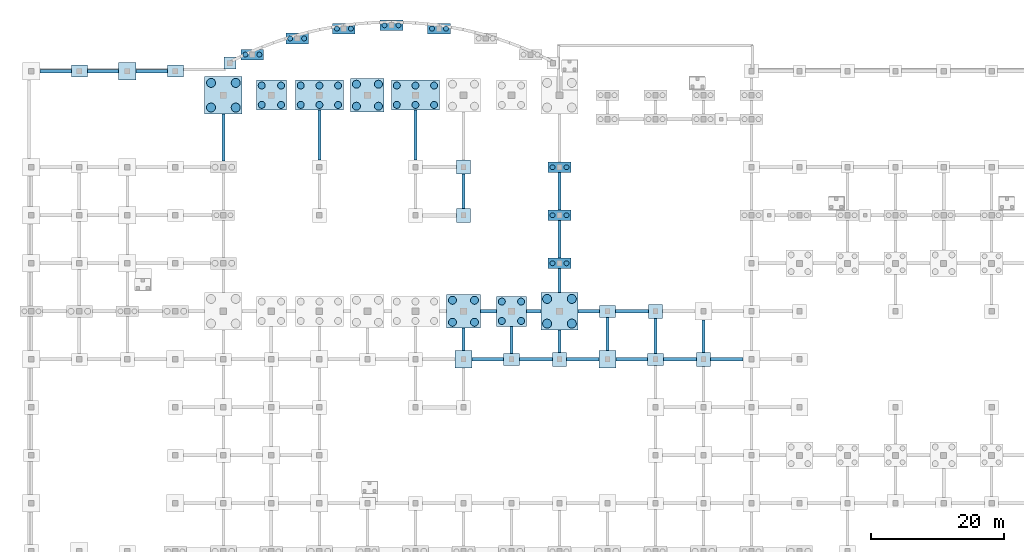
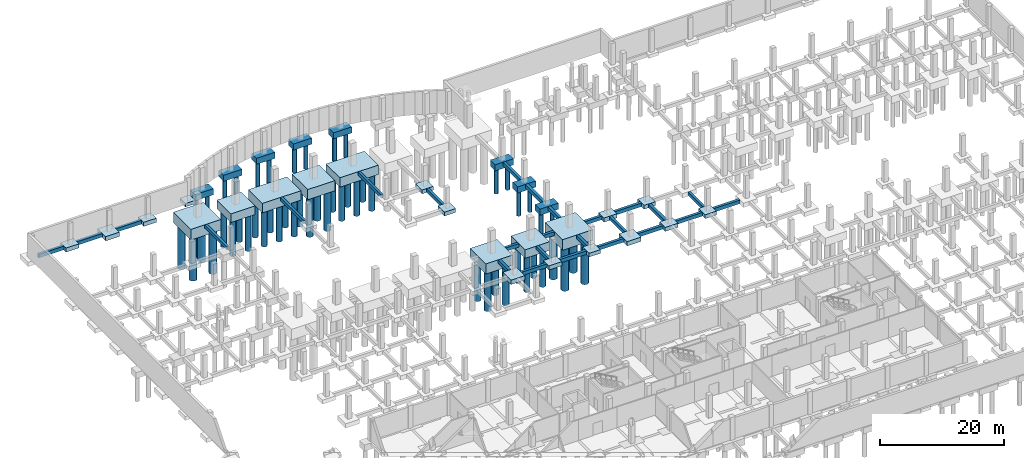
# One storey, part 9 of 22: 56 footings, 52 piles.
"""IFC4 building model written with IfcOpenShell, lengths in metres."""

from ifc_helpers import new_model, si_unit, direction, frame, origin, origin_2d, place, context, subcontext, project, spatial, polyline, rectangle, circle, outline, extrude, material, material_profile, profile_set, type_object, element, save


model = new_model("IFC4")

# Units and contexts
model_context = context("Model", 3, precision=1e-05, world=origin(), true_north=direction((0.0, 1.0)))
body_context = subcontext(model_context, "Body", "Model", "MODEL_VIEW")
ifc_project = project(units=[si_unit("LENGTHUNIT", "METRE"), si_unit("AREAUNIT", "SQUARE_METRE"), si_unit("VOLUMEUNIT", "CUBIC_METRE"), si_unit("PLANEANGLEUNIT", "RADIAN"), si_unit("MASSUNIT", "GRAM", prefix="KILO")], contexts=[model_context])

# Site, building, storey
site_placement = place(None, origin())
site = spatial("IfcSite", under=ifc_project, at=site_placement, CompositionType="ELEMENT")
building_placement = place(site_placement, origin())
building = spatial("IfcBuilding", under=site, at=building_placement, Name="Sardonyx Promenade Sports Hall", CompositionType="ELEMENT")
storey_placement = place(building_placement, frame((0.0, 0.0, -4.5)))
storey = spatial("IfcBuildingStorey", under=building, at=storey_placement, Name="B1", CompositionType="ELEMENT", Elevation=-4.5)

# Footings
ifc_material_1 = material(Name="Concrete C40/50", Category="concrete")
footing_type_1 = type_object("IfcFootingType", Name="Cap_2P_750", PredefinedType="PILE_CAP", material=ifc_material_1)
for number, where, z_axis, x_axis, name in (
    (1, (33.14404296875, 110.48486328125, -1.2001953125), (0.0, 0.0, 1.0), (1.0, 0.0, 0.0), "Pile cap PC02 at (33.14, 110.48)"),
    (2, (39.8701171875, 112.910888671875, -1.2001953125), (0.0, 0.0, 1.0), (1.0, 0.0, 0.0), "Pile cap PC02 at (39.87, 112.91)"),
    (3, (46.86669921875, 114.38525390625, -1.2001953125), (0.0, 0.0, 1.0), (1.0, 0.0, 0.0), "Pile cap PC02 at (46.87, 114.39)"),
    (4, (54.0, 114.8798828125, -1.2001953125), (0.0, 0.0, 1.0), (1.0, 0.0, 0.0), "Pile cap PC02 at (54.00, 114.88)"),
    (5, (61.13330078125, 114.38525390625, -1.2001953125), (0.0, 0.0, 1.0), (1.0, 0.0, 0.0), "Pile cap PC02 at (61.13, 114.39)"),
    (6, (79.199951171875, 79.199951171875, -1.2001953125), (0.0, 0.0, 1.0), (1.0, 0.0, 0.0), "Pile cap PC02 at (79.20, 79.20)"),
    (7, (79.199951171875, 86.39990234375, -1.2001953125), (0.0, 0.0, 1.0), (1.0, 0.0, 0.0), "Pile cap PC02 at (79.20, 86.40)"),
    (8, (79.199951171875, 93.60009765625, -1.2001953125), (0.0, 0.0, 1.0), (1.0, 0.0, 0.0), "Pile cap PC02 at (79.20, 93.60)"),
):
    element("IfcFooting", number, at=place(storey_placement, frame(where, z_axis=z_axis, x_axis=x_axis)), inside=storey, type_object=footing_type_1, Name=name, PredefinedType="PILE_CAP", context=body_context, shape_type="SweptSolid", body=[
        extrude(rectangle(XDim=3.39990234375, YDim=1.60009765625, at=origin_2d()), origin(), (0.0, 0.0, 1.0), 1.199951171875),
    ])
ifc_material_2 = material(Name="Concrete C40/50", Category="concrete")
footing_type_2 = type_object("IfcFootingType", Name="Cap_4P_1050", PredefinedType="PILE_CAP", material=ifc_material_2)
for number, where, z_axis, x_axis, name in (
    (9, (36.0, 104.39990234375, -1.7001953125), (0.0, 0.0, 1.0), (1.0, 0.0, 0.0), "Pile cap PC06 at (36.00, 104.40)"),
    (10, (72.0, 72.0, -1.7001953125), (0.0, 0.0, 1.0), (1.0, 0.0, 0.0), "Pile cap PC06 at (72.00, 72.00)"),
):
    element("IfcFooting", number, at=place(storey_placement, frame(where, z_axis=z_axis, x_axis=x_axis)), inside=storey, type_object=footing_type_2, Name=name, PredefinedType="PILE_CAP", context=body_context, shape_type="SweptSolid", body=[
        extrude(rectangle(XDim=4.5, YDim=4.5, at=origin_2d()), origin(), (0.0, 0.0, 1.0), 1.699951171875),
    ])
ifc_material_3 = material(Name="Concrete C40/50", Category="concrete")
footing_type_3 = type_object("IfcFootingType", Name="Cap_4P_1200", PredefinedType="PILE_CAP", material=ifc_material_3)
for number, where, z_axis, x_axis, name in (
    (11, (50.39990234375, 104.39990234375, -2.0), (0.0, 0.0, 1.0), (1.0, 0.0, 0.0), "Pile cap PC05 at (50.40, 104.40)"),
    (12, (64.800048828125, 72.0, -2.0), (0.0, 0.0, 1.0), (1.0, 0.0, 0.0), "Pile cap PC05 at (64.80, 72.00)"),
):
    element("IfcFooting", number, at=place(storey_placement, frame(where, z_axis=z_axis, x_axis=x_axis)), inside=storey, type_object=footing_type_3, Name=name, PredefinedType="PILE_CAP", context=body_context, shape_type="SweptSolid", body=[
        extrude(rectangle(XDim=5.0400390625, YDim=5.0400390625, at=origin_2d()), origin(), (0.0, 0.0, 1.0), 2.0),
    ])
ifc_material_4 = material(Name="Concrete C40/50", Category="concrete")
footing_type_4 = type_object("IfcFootingType", Name="Cap_4P_1350", PredefinedType="PILE_CAP", material=ifc_material_4)
for number, where, z_axis, x_axis, name in (
    (13, (28.800048828125, 104.39990234375, -2.10009765625), (0.0, 0.0, 1.0), (1.0, 0.0, 0.0), "Pile cap PC08 at (28.80, 104.40)"),
    (14, (79.199951171875, 72.0, -2.10009765625), (0.0, 0.0, 1.0), (1.0, 0.0, 0.0), "Pile cap PC08 at (79.20, 72.00)"),
):
    element("IfcFooting", number, at=place(storey_placement, frame(where, z_axis=z_axis, x_axis=x_axis)), inside=storey, type_object=footing_type_4, Name=name, PredefinedType="PILE_CAP", context=body_context, shape_type="SweptSolid", body=[
        extrude(rectangle(XDim=5.60009765625, YDim=5.60009765625, at=origin_2d()), origin(), (0.0, 0.0, 1.0), 2.10009765625),
    ])
ifc_material_5 = material(Name="Concrete C40/50", Category="concrete")
footing_type_5 = type_object("IfcFootingType", Name="Cap_6P_1050", PredefinedType="PILE_CAP", material=ifc_material_5)
for number, where, z_axis, x_axis, name in (
    (15, (43.199951171875, 104.39990234375, -1.85009765625), (0.0, 0.0, 1.0), (1.0, 0.0, 0.0), "Pile cap PC07 at (43.20, 104.40)"),
    (16, (57.60009765625, 104.39990234375, -1.85009765625), (0.0, 0.0, 1.0), (1.0, 0.0, 0.0), "Pile cap PC07 at (57.60, 104.40)"),
):
    element("IfcFooting", number, at=place(storey_placement, frame(where, z_axis=z_axis, x_axis=x_axis)), inside=storey, type_object=footing_type_5, Name=name, PredefinedType="PILE_CAP", context=body_context, shape_type="SweptSolid", body=[
        extrude(rectangle(XDim=7.159912109375, YDim=4.5, at=origin_2d()), origin(), (0.0, 0.0, 1.0), 1.85009765625),
    ])
ifc_material_6 = material(Name="Concrete C40/50", Category="concrete")
footing_type_6 = type_object("IfcFootingType", Name="Ftg_Beam_450x650", PredefinedType="FOOTING_BEAM", material=ifc_material_6)
footing_1_placement = place(storey_placement, frame((0.0, 0.0, -0.64990234375)))
element("IfcFooting", 17, at=footing_1_placement, inside=storey, type_object=footing_type_6, Name="Ground tie beam GB03 #264", PredefinedType="FOOTING_BEAM", context=body_context, shape_type="SweptSolid", body=[
    extrude(outline(polyline([(28.574951171875, 94.5), (29.02490234375, 94.5), (29.02490234375, 101.60009765625), (28.574951171875, 101.60009765625), (28.574951171875, 94.5)])), origin(), (0.0, 0.0, 1.0), 0.64990234375),
])
footing_2_placement = place(storey_placement, frame((0.0, 0.0, -0.64990234375)))
element("IfcFooting", 18, at=footing_2_placement, inside=storey, type_object=footing_type_6, Name="Ground tie beam GB03 #286", PredefinedType="FOOTING_BEAM", context=body_context, shape_type="SweptSolid", body=[
    extrude(outline(polyline([(42.97509765625, 94.64990234375), (43.425048828125, 94.64990234375), (43.425048828125, 102.14990234375), (42.97509765625, 102.14990234375), (42.97509765625, 94.64990234375)])), origin(), (0.0, 0.0, 1.0), 0.64990234375),
])
footing_3_placement = place(storey_placement, frame((0.0, 0.0, -0.64990234375)))
element("IfcFooting", 19, at=footing_3_placement, inside=storey, type_object=footing_type_6, Name="Ground tie beam GB03 #303", PredefinedType="FOOTING_BEAM", context=body_context, shape_type="SweptSolid", body=[
    extrude(outline(polyline([(57.375, 94.64990234375), (57.824951171875, 94.64990234375), (57.824951171875, 102.14990234375), (57.375, 102.14990234375), (57.375, 94.64990234375)])), origin(), (0.0, 0.0, 1.0), 0.64990234375),
])
footing_4_placement = place(storey_placement, frame((0.0, 0.0, -0.64990234375)))
element("IfcFooting", 20, at=footing_4_placement, inside=storey, type_object=footing_type_6, Name="Ground tie beam GB03 #320", PredefinedType="FOOTING_BEAM", context=body_context, shape_type="SweptSolid", body=[
    extrude(outline(polyline([(71.77490234375, 65.699951171875), (72.22509765625, 65.699951171875), (72.22509765625, 69.75), (71.77490234375, 69.75), (71.77490234375, 65.699951171875)])), origin(), (0.0, 0.0, 1.0), 0.64990234375),
])
footing_5_placement = place(storey_placement, frame((0.0, 0.0, -0.64990234375)))
element("IfcFooting", 21, at=footing_5_placement, inside=storey, type_object=footing_type_6, Name="Ground tie beam GB03 #338", PredefinedType="FOOTING_BEAM", context=body_context, shape_type="SweptSolid", body=[
    extrude(outline(polyline([(86.175048828125, 66.10009765625), (86.625, 66.10009765625), (86.625, 71.10009765625), (86.175048828125, 71.10009765625), (86.175048828125, 66.10009765625)])), origin(), (0.0, 0.0, 1.0), 0.64990234375),
])
footing_6_placement = place(storey_placement, frame((0.0, 0.0, -0.64990234375)))
element("IfcFooting", 22, at=footing_6_placement, inside=storey, type_object=footing_type_6, Name="Ground tie beam GB03 #360", PredefinedType="FOOTING_BEAM", context=body_context, shape_type="SweptSolid", body=[
    extrude(outline(polyline([(100.574951171875, 65.85009765625), (101.02490234375, 65.85009765625), (101.02490234375, 70.699951171875), (100.574951171875, 70.699951171875), (100.574951171875, 65.85009765625)])), origin(), (0.0, 0.0, 1.0), 0.64990234375),
])
ifc_material_7 = material(Name="Concrete C40/50", Category="concrete")
footing_type_7 = type_object("IfcFootingType", Name="Ftg_Beam_500x700", PredefinedType="FOOTING_BEAM", material=ifc_material_7)
footing_7_placement = place(storey_placement, frame((0.0, 0.0, -0.699951171875)))
element("IfcFooting", 23, at=footing_7_placement, inside=storey, type_object=footing_type_7, Name="Ground tie beam GB01 #143", PredefinedType="FOOTING_BEAM", context=body_context, shape_type="SweptSolid", body=[
    extrude(outline(polyline([(66.10009765625, 64.550048828125), (70.800048828125, 64.550048828125), (70.800048828125, 65.050048828125), (66.10009765625, 65.050048828125), (66.10009765625, 64.550048828125)])), origin(), (0.0, 0.0, 1.0), 0.699951171875),
])
footing_8_placement = place(storey_placement, frame((0.0, 0.0, -0.699951171875)))
element("IfcFooting", 24, at=footing_8_placement, inside=storey, type_object=footing_type_7, Name="Ground tie beam GB01 #144", PredefinedType="FOOTING_BEAM", context=body_context, shape_type="SweptSolid", body=[
    extrude(outline(polyline([(73.199951171875, 64.550048828125), (78.14990234375, 64.550048828125), (78.14990234375, 65.050048828125), (73.199951171875, 65.050048828125), (73.199951171875, 64.550048828125)])), origin(), (0.0, 0.0, 1.0), 0.699951171875),
])
footing_9_placement = place(storey_placement, frame((0.0, 0.0, -0.699951171875)))
element("IfcFooting", 25, at=footing_9_placement, inside=storey, type_object=footing_type_7, Name="Ground tie beam GB01 #145", PredefinedType="FOOTING_BEAM", context=body_context, shape_type="SweptSolid", body=[
    extrude(outline(polyline([(80.25, 64.550048828125), (85.10009765625, 64.550048828125), (85.10009765625, 65.050048828125), (80.25, 65.050048828125), (80.25, 64.550048828125)])), origin(), (0.0, 0.0, 1.0), 0.699951171875),
])
footing_10_placement = place(storey_placement, frame((0.0, 0.0, -0.699951171875)))
element("IfcFooting", 26, at=footing_10_placement, inside=storey, type_object=footing_type_7, Name="Ground tie beam GB01 #146", PredefinedType="FOOTING_BEAM", context=body_context, shape_type="SweptSolid", body=[
    extrude(outline(polyline([(87.699951171875, 64.550048828125), (92.39990234375, 64.550048828125), (92.39990234375, 65.050048828125), (87.699951171875, 65.050048828125), (87.699951171875, 64.550048828125)])), origin(), (0.0, 0.0, 1.0), 0.699951171875),
])
footing_11_placement = place(storey_placement, frame((0.0, 0.0, -0.699951171875)))
element("IfcFooting", 27, at=footing_11_placement, inside=storey, type_object=footing_type_7, Name="Ground tie beam GB01 #147", PredefinedType="FOOTING_BEAM", context=body_context, shape_type="SweptSolid", body=[
    extrude(outline(polyline([(94.800048828125, 64.550048828125), (99.75, 64.550048828125), (99.75, 65.050048828125), (94.800048828125, 65.050048828125), (94.800048828125, 64.550048828125)])), origin(), (0.0, 0.0, 1.0), 0.699951171875),
])
footing_12_placement = place(storey_placement, frame((0.0, 0.0, -0.699951171875)))
element("IfcFooting", 28, at=footing_12_placement, inside=storey, type_object=footing_type_7, Name="Ground tie beam GB01 #148", PredefinedType="FOOTING_BEAM", context=body_context, shape_type="SweptSolid", body=[
    extrude(outline(polyline([(101.85009765625, 64.550048828125), (106.699951171875, 64.550048828125), (106.699951171875, 65.050048828125), (101.85009765625, 65.050048828125), (101.85009765625, 64.550048828125)])), origin(), (0.0, 0.0, 1.0), 0.699951171875),
])
footing_13_placement = place(storey_placement, frame((0.0, 0.0, -0.699951171875)))
element("IfcFooting", 29, at=footing_13_placement, inside=storey, type_object=footing_type_7, Name="Ground tie beam GB01 #160", PredefinedType="FOOTING_BEAM", context=body_context, shape_type="SweptSolid", body=[
    extrude(outline(polyline([(67.320068359375, 71.75), (69.75, 71.75), (69.75, 72.25), (67.320068359375, 72.25), (67.320068359375, 71.75)])), origin(), (0.0, 0.0, 1.0), 0.699951171875),
])
footing_14_placement = place(storey_placement, frame((0.0, 0.0, -0.699951171875)))
element("IfcFooting", 30, at=footing_14_placement, inside=storey, type_object=footing_type_7, Name="Ground tie beam GB01 #161", PredefinedType="FOOTING_BEAM", context=body_context, shape_type="SweptSolid", body=[
    extrude(outline(polyline([(74.25, 71.75), (76.39990234375, 71.75), (76.39990234375, 72.25), (74.25, 72.25), (74.25, 71.75)])), origin(), (0.0, 0.0, 1.0), 0.699951171875),
])
footing_15_placement = place(storey_placement, frame((0.0, 0.0, -0.699951171875)))
element("IfcFooting", 31, at=footing_15_placement, inside=storey, type_object=footing_type_7, Name="Ground tie beam GB01 #162", PredefinedType="FOOTING_BEAM", context=body_context, shape_type="SweptSolid", body=[
    extrude(outline(polyline([(82.0, 71.75), (85.199951171875, 71.75), (85.199951171875, 72.25), (82.0, 72.25), (82.0, 71.75)])), origin(), (0.0, 0.0, 1.0), 0.699951171875),
])
footing_16_placement = place(storey_placement, frame((0.0, 0.0, -0.699951171875)))
element("IfcFooting", 32, at=footing_16_placement, inside=storey, type_object=footing_type_7, Name="Ground tie beam GB01 #163", PredefinedType="FOOTING_BEAM", context=body_context, shape_type="SweptSolid", body=[
    extrude(outline(polyline([(87.60009765625, 71.75), (92.550048828125, 71.75), (92.550048828125, 72.25), (87.60009765625, 72.25), (87.60009765625, 71.75)])), origin(), (0.0, 0.0, 1.0), 0.699951171875),
])
footing_17_placement = place(storey_placement, frame((0.0, 0.0, -0.699951171875)))
element("IfcFooting", 33, at=footing_17_placement, inside=storey, type_object=footing_type_7, Name="Ground tie beam GB01 #209", PredefinedType="FOOTING_BEAM", context=body_context, shape_type="SweptSolid", body=[
    extrude(outline(polyline([(1.300048828125, 107.75), (6.0, 107.75), (6.0, 108.25), (1.300048828125, 108.25), (1.300048828125, 107.75)])), origin(), (0.0, 0.0, 1.0), 0.699951171875),
])
footing_18_placement = place(storey_placement, frame((0.0, 0.0, -0.699951171875)))
element("IfcFooting", 34, at=footing_18_placement, inside=storey, type_object=footing_type_7, Name="Ground tie beam GB01 #210", PredefinedType="FOOTING_BEAM", context=body_context, shape_type="SweptSolid", body=[
    extrude(outline(polyline([(8.39990234375, 107.75), (13.10009765625, 107.75), (13.10009765625, 108.25), (8.39990234375, 108.25), (8.39990234375, 107.75)])), origin(), (0.0, 0.0, 1.0), 0.699951171875),
])
footing_19_placement = place(storey_placement, frame((0.0, 0.0, -0.699951171875)))
element("IfcFooting", 35, at=footing_19_placement, inside=storey, type_object=footing_type_7, Name="Ground tie beam GB01 #211", PredefinedType="FOOTING_BEAM", context=body_context, shape_type="SweptSolid", body=[
    extrude(outline(polyline([(15.699951171875, 107.75), (20.39990234375, 107.75), (20.39990234375, 108.25), (15.699951171875, 108.25), (15.699951171875, 107.75)])), origin(), (0.0, 0.0, 1.0), 0.699951171875),
])
footing_20_placement = place(storey_placement, frame((0.0, 0.0, -0.699951171875)))
element("IfcFooting", 36, at=footing_20_placement, inside=storey, type_object=footing_type_7, Name="Ground tie beam GB01 #311", PredefinedType="FOOTING_BEAM", context=body_context, shape_type="SweptSolid", body=[
    extrude(outline(polyline([(64.550048828125, 66.10009765625), (65.050048828125, 66.10009765625), (65.050048828125, 69.47998046875), (64.550048828125, 69.47998046875), (64.550048828125, 66.10009765625)])), origin(), (0.0, 0.0, 1.0), 0.699951171875),
])
footing_21_placement = place(storey_placement, frame((0.0, 0.0, -0.699951171875)))
element("IfcFooting", 37, at=footing_21_placement, inside=storey, type_object=footing_type_7, Name="Ground tie beam GB01 #312", PredefinedType="FOOTING_BEAM", context=body_context, shape_type="SweptSolid", body=[
    extrude(outline(polyline([(64.550048828125, 87.449951171875), (65.050048828125, 87.449951171875), (65.050048828125, 92.550048828125), (64.550048828125, 92.550048828125), (64.550048828125, 87.449951171875)])), origin(), (0.0, 0.0, 1.0), 0.699951171875),
])
footing_22_placement = place(storey_placement, frame((0.0, 0.0, -0.699951171875)))
element("IfcFooting", 38, at=footing_22_placement, inside=storey, type_object=footing_type_7, Name="Ground tie beam GB01 #327", PredefinedType="FOOTING_BEAM", context=body_context, shape_type="SweptSolid", body=[
    extrude(outline(polyline([(78.949951171875, 65.85009765625), (79.449951171875, 65.85009765625), (79.449951171875, 69.199951171875), (78.949951171875, 69.199951171875), (78.949951171875, 65.85009765625)])), origin(), (0.0, 0.0, 1.0), 0.699951171875),
])
footing_23_placement = place(storey_placement, frame((0.0, 0.0, -0.699951171875)))
element("IfcFooting", 39, at=footing_23_placement, inside=storey, type_object=footing_type_7, Name="Ground tie beam GB01 #328", PredefinedType="FOOTING_BEAM", context=body_context, shape_type="SweptSolid", body=[
    extrude(outline(polyline([(78.949951171875, 74.800048828125), (79.449951171875, 74.800048828125), (79.449951171875, 78.39990234375), (78.949951171875, 78.39990234375), (78.949951171875, 74.800048828125)])), origin(), (0.0, 0.0, 1.0), 0.699951171875),
])
footing_24_placement = place(storey_placement, frame((0.0, 0.0, -0.699951171875)))
element("IfcFooting", 40, at=footing_24_placement, inside=storey, type_object=footing_type_7, Name="Ground tie beam GB01 #329", PredefinedType="FOOTING_BEAM", context=body_context, shape_type="SweptSolid", body=[
    extrude(outline(polyline([(78.949951171875, 80.0), (79.449951171875, 80.0), (79.449951171875, 85.60009765625), (78.949951171875, 85.60009765625), (78.949951171875, 80.0)])), origin(), (0.0, 0.0, 1.0), 0.699951171875),
])
footing_25_placement = place(storey_placement, frame((0.0, 0.0, -0.699951171875)))
element("IfcFooting", 41, at=footing_25_placement, inside=storey, type_object=footing_type_7, Name="Ground tie beam GB01 #330", PredefinedType="FOOTING_BEAM", context=body_context, shape_type="SweptSolid", body=[
    extrude(outline(polyline([(78.949951171875, 87.199951171875), (79.449951171875, 87.199951171875), (79.449951171875, 92.800048828125), (78.949951171875, 92.800048828125), (78.949951171875, 87.199951171875)])), origin(), (0.0, 0.0, 1.0), 0.699951171875),
])
footing_26_placement = place(storey_placement, frame((0.0, 0.0, -0.699951171875)))
element("IfcFooting", 42, at=footing_26_placement, inside=storey, type_object=footing_type_7, Name="Ground tie beam GB01 #349", PredefinedType="FOOTING_BEAM", context=body_context, shape_type="SweptSolid", body=[
    extrude(outline(polyline([(93.35009765625, 65.699951171875), (93.85009765625, 65.699951171875), (93.85009765625, 70.949951171875), (93.35009765625, 70.949951171875), (93.35009765625, 65.699951171875)])), origin(), (0.0, 0.0, 1.0), 0.699951171875),
])
ifc_material_8 = material(Name="Concrete C40/50", Category="concrete")
footing_type_8 = type_object("IfcFootingType", Name="Ftg_Pad_1800", PredefinedType="PAD_FOOTING", material=ifc_material_8)
footing_27_placement = place(storey_placement, frame((29.773681640625, 109.2119140625, -0.64990234375), z_axis=(0.0, 0.0, 1.0), x_axis=(1.0, 0.0, 0.0)))
element("IfcFooting", 43, at=footing_27_placement, inside=storey, type_object=footing_type_8, Name="Bowed corner pad footing WP00", PredefinedType="PAD_FOOTING", context=body_context, shape_type="SweptSolid", body=[
    extrude(rectangle(XDim=1.800048828125, YDim=1.800048828125, at=origin_2d()), origin(), (0.0, 0.0, 1.0), 0.64990234375),
])
ifc_material_9 = material(Name="Concrete C40/50", Category="concrete")
footing_type_9 = type_object("IfcFootingType", Name="Ftg_Pad_2100", PredefinedType="PAD_FOOTING", material=ifc_material_9)
for number, where, z_axis, x_axis, name in (
    (44, (79.199951171875, 64.800048828125, -0.75), (0.0, 0.0, 1.0), (1.0, 0.0, 0.0), "Rock-bearing pad footing PF02 at (79.20, 64.80)"),
    (45, (93.60009765625, 72.0, -0.75), (0.0, 0.0, 1.0), (1.0, 0.0, 0.0), "Rock-bearing pad footing PF02 at (93.60, 72.00)"),
    (46, (100.800048828125, 64.800048828125, -0.75), (0.0, 0.0, 1.0), (1.0, 0.0, 0.0), "Rock-bearing pad footing PF02 at (100.80, 64.80)"),
    (47, (64.800048828125, 86.39990234375, -0.75), (0.0, 0.0, 1.0), (1.0, 0.0, 0.0), "Substructure court slab pad footing PF02 #38"),
    (48, (64.800048828125, 93.60009765625, -0.75), (0.0, 0.0, 1.0), (1.0, 0.0, 0.0), "Substructure court slab pad footing PF02 #39"),
):
    element("IfcFooting", number, at=place(storey_placement, frame(where, z_axis=z_axis, x_axis=x_axis)), inside=storey, type_object=footing_type_9, Name=name, PredefinedType="PAD_FOOTING", context=body_context, shape_type="SweptSolid", body=[
        extrude(rectangle(XDim=2.10009765625, YDim=2.10009765625, at=origin_2d()), origin(), (0.0, 0.0, 1.0), 0.75),
    ])
ifc_material_10 = material(Name="Concrete C40/50", Category="concrete")
footing_type_10 = type_object("IfcFootingType", Name="Ftg_Pad_2400x1800", PredefinedType="PAD_FOOTING", material=ifc_material_10)
for number, where, z_axis, x_axis, name in (
    (49, (72.0, 64.800048828125, -0.7998046875), (0.0, 0.0, 1.0), (1.0, 0.0, 0.0), "Rock-bearing pad footing PF03 at (72.00, 64.80)"),
    (50, (86.39990234375, 72.0, -0.7998046875), (0.0, 0.0, 1.0), (1.0, 0.0, 0.0), "Rock-bearing pad footing PF03 at (86.40, 72.00)"),
    (51, (93.60009765625, 64.800048828125, -0.7998046875), (0.0, 0.0, 1.0), (1.0, 0.0, 0.0), "Rock-bearing pad footing PF03 at (93.60, 64.80)"),
    (52, (7.199951171875, 108.0, -0.7998046875), (0.0, 0.0, 1.0), (1.0, 0.0, 0.0), "Pad footing PF03 #25"),
    (53, (21.60009765625, 108.0, -0.7998046875), (0.0, 0.0, 1.0), (1.0, 0.0, 0.0), "Pad footing PF03 #33"),
):
    element("IfcFooting", number, at=place(storey_placement, frame(where, z_axis=z_axis, x_axis=x_axis)), inside=storey, type_object=footing_type_10, Name=name, PredefinedType="PAD_FOOTING", context=body_context, shape_type="SweptSolid", body=[
        extrude(rectangle(XDim=2.39990234375, YDim=1.800048828125, at=origin_2d()), origin(), (0.0, 0.0, 1.0), 0.800048828125),
    ])
ifc_material_11 = material(Name="Concrete C40/50", Category="concrete")
footing_type_11 = type_object("IfcFootingType", Name="Ftg_Pad_2600", PredefinedType="PAD_FOOTING", material=ifc_material_11)
for number, where, z_axis, x_axis, name in (
    (54, (64.800048828125, 64.800048828125, -0.85009765625), (0.0, 0.0, 1.0), (1.0, 0.0, 0.0), "Rock-bearing pad footing PF04 at (64.80, 64.80)"),
    (55, (86.39990234375, 64.800048828125, -0.85009765625), (0.0, 0.0, 1.0), (1.0, 0.0, 0.0), "Rock-bearing pad footing PF04 at (86.40, 64.80)"),
    (56, (14.39990234375, 108.0, -0.85009765625), (0.0, 0.0, 1.0), (1.0, 0.0, 0.0), "Pad footing PF04 #29"),
):
    element("IfcFooting", number, at=place(storey_placement, frame(where, z_axis=z_axis, x_axis=x_axis)), inside=storey, type_object=footing_type_11, Name=name, PredefinedType="PAD_FOOTING", context=body_context, shape_type="SweptSolid", body=[
        extrude(rectangle(XDim=2.60009765625, YDim=2.60009765625, at=origin_2d()), origin(), (0.0, 0.0, 1.0), 0.85009765625),
    ])

# Piles
ifc_material_12 = material(Name="Concrete C40/50", Category="concrete")
ifc_material_profile_1 = material_profile(ifc_material_12, circle(Radius=0.52490234375, at=origin_2d()))
ifc_profile_set_1 = profile_set([ifc_material_profile_1], Name="Concrete C40/50")
pile_type_1 = type_object("IfcPileType", Name="Pile_BP1050", PredefinedType="BORED", material=ifc_profile_set_1)
for number, where, z_axis, x_axis, name in (
    (57, (34.550048828125, 102.949951171875, -1.60009765625), (0.0, 0.0, -1.0), (1.0, 0.0, 0.0), "Bored pile BP03 #1 under ftg:cap:36.000_104.400"),
    (58, (37.449951171875, 102.949951171875, -1.60009765625), (0.0, 0.0, -1.0), (1.0, 0.0, 0.0), "Bored pile BP03 #2 under ftg:cap:36.000_104.400"),
    (59, (34.550048828125, 105.85009765625, -1.60009765625), (0.0, 0.0, -1.0), (1.0, 0.0, 0.0), "Bored pile BP03 #3 under ftg:cap:36.000_104.400"),
    (60, (37.449951171875, 105.85009765625, -1.60009765625), (0.0, 0.0, -1.0), (1.0, 0.0, 0.0), "Bored pile BP03 #4 under ftg:cap:36.000_104.400"),
    (61, (40.39990234375, 102.949951171875, -1.75), (0.0, 0.0, -1.0), (1.0, 0.0, 0.0), "Bored pile BP03 #1 under ftg:cap:43.200_104.400"),
    (62, (43.199951171875, 102.949951171875, -1.75), (0.0, 0.0, -1.0), (1.0, 0.0, 0.0), "Bored pile BP03 #2 under ftg:cap:43.200_104.400"),
    (63, (46.0, 102.949951171875, -1.75), (0.0, 0.0, -1.0), (1.0, 0.0, 0.0), "Bored pile BP03 #3 under ftg:cap:43.200_104.400"),
    (64, (40.39990234375, 105.85009765625, -1.75), (0.0, 0.0, -1.0), (1.0, 0.0, 0.0), "Bored pile BP03 #4 under ftg:cap:43.200_104.400"),
    (65, (43.199951171875, 105.85009765625, -1.75), (0.0, 0.0, -1.0), (1.0, 0.0, 0.0), "Bored pile BP03 #5 under ftg:cap:43.200_104.400"),
    (66, (46.0, 105.85009765625, -1.75), (0.0, 0.0, -1.0), (1.0, 0.0, 0.0), "Bored pile BP03 #6 under ftg:cap:43.200_104.400"),
    (67, (54.800048828125, 102.949951171875, -1.75), (0.0, 0.0, -1.0), (1.0, 0.0, 0.0), "Bored pile BP03 #1 under ftg:cap:57.600_104.400"),
    (68, (57.60009765625, 102.949951171875, -1.75), (0.0, 0.0, -1.0), (1.0, 0.0, 0.0), "Bored pile BP03 #2 under ftg:cap:57.600_104.400"),
    (69, (60.39990234375, 102.949951171875, -1.75), (0.0, 0.0, -1.0), (1.0, 0.0, 0.0), "Bored pile BP03 #3 under ftg:cap:57.600_104.400"),
    (70, (54.800048828125, 105.85009765625, -1.75), (0.0, 0.0, -1.0), (1.0, 0.0, 0.0), "Bored pile BP03 #4 under ftg:cap:57.600_104.400"),
    (71, (57.60009765625, 105.85009765625, -1.75), (0.0, 0.0, -1.0), (1.0, 0.0, 0.0), "Bored pile BP03 #5 under ftg:cap:57.600_104.400"),
    (72, (60.39990234375, 105.85009765625, -1.75), (0.0, 0.0, -1.0), (1.0, 0.0, 0.0), "Bored pile BP03 #6 under ftg:cap:57.600_104.400"),
    (73, (70.550048828125, 70.550048828125, -1.60009765625), (0.0, 0.0, -1.0), (1.0, 0.0, 0.0), "Bored pile BP03 #1 under ftg:cap:72.000_72.000"),
    (74, (73.449951171875, 70.550048828125, -1.60009765625), (0.0, 0.0, -1.0), (1.0, 0.0, 0.0), "Bored pile BP03 #2 under ftg:cap:72.000_72.000"),
    (75, (70.550048828125, 73.449951171875, -1.60009765625), (0.0, 0.0, -1.0), (1.0, 0.0, 0.0), "Bored pile BP03 #3 under ftg:cap:72.000_72.000"),
    (76, (73.449951171875, 73.449951171875, -1.60009765625), (0.0, 0.0, -1.0), (1.0, 0.0, 0.0), "Bored pile BP03 #4 under ftg:cap:72.000_72.000"),
):
    element("IfcPile", number, at=place(storey_placement, frame(where, z_axis=z_axis, x_axis=x_axis)), inside=storey, type_object=pile_type_1, Name=name, PredefinedType="BORED", context=body_context, shape_type="SweptSolid", body=[
        extrude(circle(Radius=0.52490234375, at=origin_2d()), origin(), (0.0, 0.0, 1.0), 7.199951171875),
    ])
ifc_material_13 = material(Name="Concrete C40/50", Category="concrete")
ifc_material_profile_2 = material_profile(ifc_material_13, circle(Radius=0.60009765625, at=origin_2d()))
ifc_profile_set_2 = profile_set([ifc_material_profile_2], Name="Concrete C40/50")
pile_type_2 = type_object("IfcPileType", Name="Pile_BP1200", PredefinedType="BORED", material=ifc_profile_set_2)
for number, where, z_axis, x_axis, name in (
    (77, (48.75, 102.75, -1.89990234375), (0.0, 0.0, -1.0), (1.0, 0.0, 0.0), "Bored pile BP06 #1 under ftg:cap:50.400_104.400"),
    (78, (52.050048828125, 102.75, -1.89990234375), (0.0, 0.0, -1.0), (1.0, 0.0, 0.0), "Bored pile BP06 #2 under ftg:cap:50.400_104.400"),
    (79, (48.75, 106.050048828125, -1.89990234375), (0.0, 0.0, -1.0), (1.0, 0.0, 0.0), "Bored pile BP06 #3 under ftg:cap:50.400_104.400"),
    (80, (52.050048828125, 106.050048828125, -1.89990234375), (0.0, 0.0, -1.0), (1.0, 0.0, 0.0), "Bored pile BP06 #4 under ftg:cap:50.400_104.400"),
    (81, (63.14990234375, 70.35009765625, -1.89990234375), (0.0, 0.0, -1.0), (1.0, 0.0, 0.0), "Bored pile BP06 #1 under ftg:cap:64.800_72.000"),
    (82, (66.449951171875, 70.35009765625, -1.89990234375), (0.0, 0.0, -1.0), (1.0, 0.0, 0.0), "Bored pile BP06 #2 under ftg:cap:64.800_72.000"),
    (83, (63.14990234375, 73.64990234375, -1.89990234375), (0.0, 0.0, -1.0), (1.0, 0.0, 0.0), "Bored pile BP06 #3 under ftg:cap:64.800_72.000"),
    (84, (66.449951171875, 73.64990234375, -1.89990234375), (0.0, 0.0, -1.0), (1.0, 0.0, 0.0), "Bored pile BP06 #4 under ftg:cap:64.800_72.000"),
):
    element("IfcPile", number, at=place(storey_placement, frame(where, z_axis=z_axis, x_axis=x_axis)), inside=storey, type_object=pile_type_2, Name=name, PredefinedType="BORED", context=body_context, shape_type="SweptSolid", body=[
        extrude(circle(Radius=0.60009765625, at=origin_2d()), origin(), (0.0, 0.0, 1.0), 7.89990234375),
    ])
ifc_material_14 = material(Name="Concrete C40/50", Category="concrete")
ifc_material_profile_3 = material_profile(ifc_material_14, circle(Radius=0.675048828125, at=origin_2d()))
ifc_profile_set_3 = profile_set([ifc_material_profile_3], Name="Concrete C40/50")
pile_type_3 = type_object("IfcPileType", Name="Pile_BP1350", PredefinedType="BORED", material=ifc_profile_set_3)
for number, where, z_axis, x_axis, name in (
    (85, (26.949951171875, 102.550048828125, -2.0), (0.0, 0.0, -1.0), (1.0, 0.0, 0.0), "Bored pile BP01 #1 under ftg:cap:28.800_104.400"),
    (86, (30.64990234375, 102.550048828125, -2.0), (0.0, 0.0, -1.0), (1.0, 0.0, 0.0), "Bored pile BP01 #2 under ftg:cap:28.800_104.400"),
    (87, (26.949951171875, 106.25, -2.0), (0.0, 0.0, -1.0), (1.0, 0.0, 0.0), "Bored pile BP01 #3 under ftg:cap:28.800_104.400"),
    (88, (30.64990234375, 106.25, -2.0), (0.0, 0.0, -1.0), (1.0, 0.0, 0.0), "Bored pile BP01 #4 under ftg:cap:28.800_104.400"),
    (89, (77.35009765625, 70.14990234375, -2.0), (0.0, 0.0, -1.0), (1.0, 0.0, 0.0), "Bored pile BP01 #1 under ftg:cap:79.200_72.000"),
    (90, (81.050048828125, 70.14990234375, -2.0), (0.0, 0.0, -1.0), (1.0, 0.0, 0.0), "Bored pile BP01 #2 under ftg:cap:79.200_72.000"),
    (91, (77.35009765625, 73.85009765625, -2.0), (0.0, 0.0, -1.0), (1.0, 0.0, 0.0), "Bored pile BP01 #3 under ftg:cap:79.200_72.000"),
    (92, (81.050048828125, 73.85009765625, -2.0), (0.0, 0.0, -1.0), (1.0, 0.0, 0.0), "Bored pile BP01 #4 under ftg:cap:79.200_72.000"),
):
    element("IfcPile", number, at=place(storey_placement, frame(where, z_axis=z_axis, x_axis=x_axis)), inside=storey, type_object=pile_type_3, Name=name, PredefinedType="BORED", context=body_context, shape_type="SweptSolid", body=[
        extrude(circle(Radius=0.675048828125, at=origin_2d()), origin(), (0.0, 0.0, 1.0), 8.60009765625),
    ])
ifc_material_15 = material(Name="Concrete C40/50", Category="concrete")
ifc_material_profile_4 = material_profile(ifc_material_15, circle(Radius=0.375, at=origin_2d()))
ifc_profile_set_4 = profile_set([ifc_material_profile_4], Name="Concrete C40/50")
pile_type_4 = type_object("IfcPileType", Name="Pile_BP750", PredefinedType="BORED", material=ifc_profile_set_4)
for number, where, z_axis, x_axis, name in (
    (93, (32.093994140625, 110.48486328125, -1.10009765625), (0.0, 0.0, -1.0), (1.0, 0.0, 0.0), "Bored pile BP02 #1 under ftg:cap:33.144_110.485"),
    (94, (34.194091796875, 110.48486328125, -1.10009765625), (0.0, 0.0, -1.0), (1.0, 0.0, 0.0), "Bored pile BP02 #2 under ftg:cap:33.144_110.485"),
    (95, (38.820068359375, 112.910888671875, -1.10009765625), (0.0, 0.0, -1.0), (1.0, 0.0, 0.0), "Bored pile BP02 #1 under ftg:cap:39.870_112.911"),
    (96, (40.920166015625, 112.910888671875, -1.10009765625), (0.0, 0.0, -1.0), (1.0, 0.0, 0.0), "Bored pile BP02 #2 under ftg:cap:39.870_112.911"),
    (97, (45.81689453125, 114.38525390625, -1.10009765625), (0.0, 0.0, -1.0), (1.0, 0.0, 0.0), "Bored pile BP02 #1 under ftg:cap:46.867_114.385"),
    (98, (47.916748046875, 114.38525390625, -1.10009765625), (0.0, 0.0, -1.0), (1.0, 0.0, 0.0), "Bored pile BP02 #2 under ftg:cap:46.867_114.385"),
    (99, (52.949951171875, 114.8798828125, -1.10009765625), (0.0, 0.0, -1.0), (1.0, 0.0, 0.0), "Bored pile BP02 #1 under ftg:cap:54.000_114.880"),
    (100, (55.050048828125, 114.8798828125, -1.10009765625), (0.0, 0.0, -1.0), (1.0, 0.0, 0.0), "Bored pile BP02 #2 under ftg:cap:54.000_114.880"),
    (101, (60.083251953125, 114.38525390625, -1.10009765625), (0.0, 0.0, -1.0), (1.0, 0.0, 0.0), "Bored pile BP02 #1 under ftg:cap:61.133_114.385"),
    (102, (62.18310546875, 114.38525390625, -1.10009765625), (0.0, 0.0, -1.0), (1.0, 0.0, 0.0), "Bored pile BP02 #2 under ftg:cap:61.133_114.385"),
    (103, (78.14990234375, 79.199951171875, -1.10009765625), (0.0, 0.0, -1.0), (1.0, 0.0, 0.0), "Bored pile BP02 #1 under ftg:cap:79.200_79.200"),
    (104, (80.25, 79.199951171875, -1.10009765625), (0.0, 0.0, -1.0), (1.0, 0.0, 0.0), "Bored pile BP02 #2 under ftg:cap:79.200_79.200"),
    (105, (78.14990234375, 86.39990234375, -1.10009765625), (0.0, 0.0, -1.0), (1.0, 0.0, 0.0), "Bored pile BP02 #1 under ftg:cap:79.200_86.400"),
    (106, (80.25, 86.39990234375, -1.10009765625), (0.0, 0.0, -1.0), (1.0, 0.0, 0.0), "Bored pile BP02 #2 under ftg:cap:79.200_86.400"),
    (107, (78.14990234375, 93.60009765625, -1.10009765625), (0.0, 0.0, -1.0), (1.0, 0.0, 0.0), "Bored pile BP02 #1 under ftg:cap:79.200_93.600"),
    (108, (80.25, 93.60009765625, -1.10009765625), (0.0, 0.0, -1.0), (1.0, 0.0, 0.0), "Bored pile BP02 #2 under ftg:cap:79.200_93.600"),
):
    element("IfcPile", number, at=place(storey_placement, frame(where, z_axis=z_axis, x_axis=x_axis)), inside=storey, type_object=pile_type_4, Name=name, PredefinedType="BORED", context=body_context, shape_type="SweptSolid", body=[
        extrude(circle(Radius=0.375, at=origin_2d()), origin(), (0.0, 0.0, 1.0), 5.10009765625),
    ])

save(model, "model.ifc")
